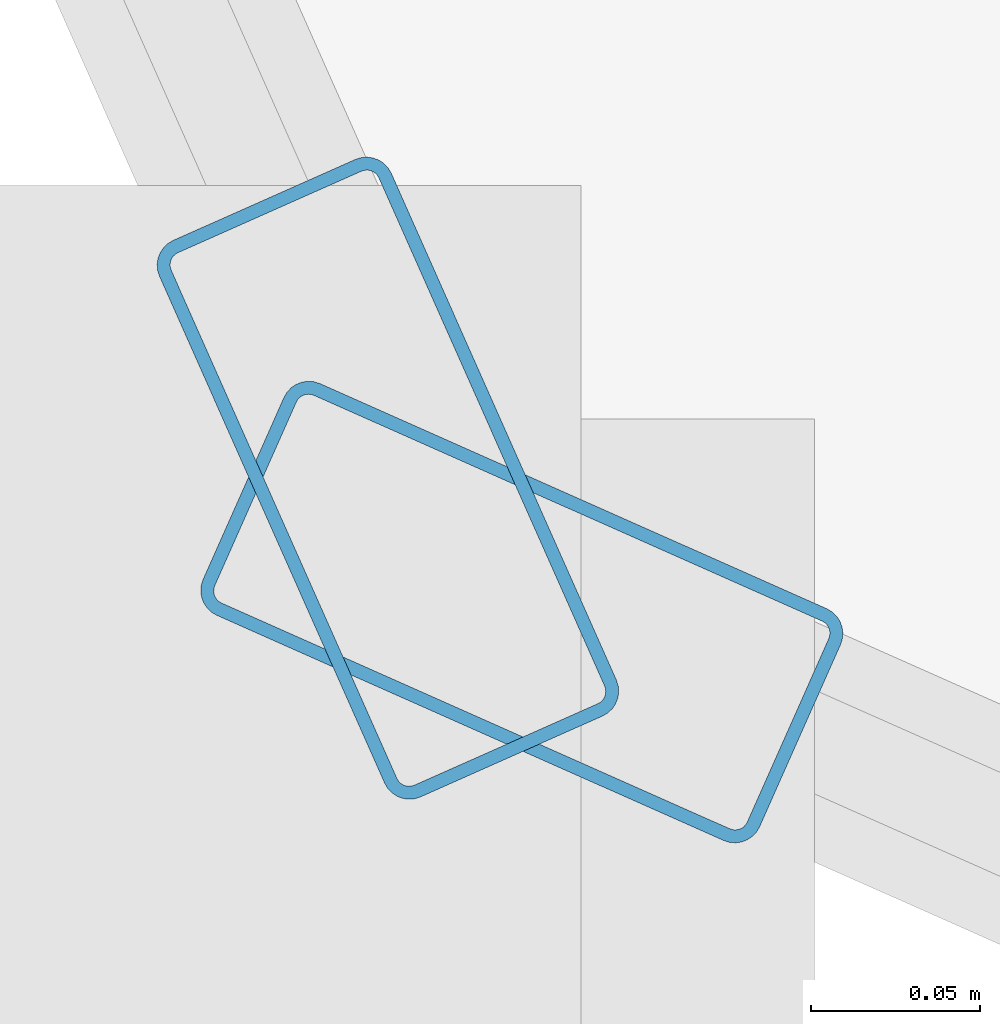
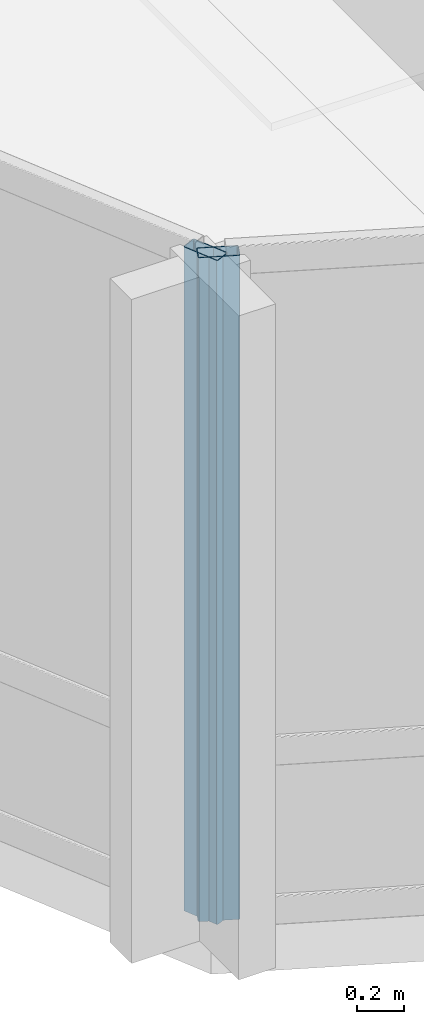
# One storey, part 2 of 28: 2 members, 2 elements without a shape of their own.
"""IFC4 building model written with IfcOpenShell, lengths in metres."""

from ifc_helpers import new_model, si_unit, direction, frame, origin, origin_2d, place, context, subcontext, project, spatial, hollow_rectangle, extrude, material, layer, layer_set, material_profile, profile_set, type_object, element, aggregate, save


model = new_model("IFC4")

# Units and contexts
model_context = context("Model", 3, precision=1e-05, world=origin(), true_north=direction((0.0, 1.0)))
body_context = subcontext(model_context, "Body", "Model", "MODEL_VIEW")
ifc_project = project(units=[si_unit("LENGTHUNIT", "METRE"), si_unit("AREAUNIT", "SQUARE_METRE"), si_unit("VOLUMEUNIT", "CUBIC_METRE"), si_unit("PLANEANGLEUNIT", "RADIAN"), si_unit("MASSUNIT", "GRAM", prefix="KILO")], contexts=[model_context])

# Site, building, storey
site_placement = place(None, origin())
site = spatial("IfcSite", under=ifc_project, at=site_placement, CompositionType="ELEMENT")
building_placement = place(site_placement, origin())
building = spatial("IfcBuilding", under=site, at=building_placement, Name="Solvaryn Broadcast Tower", CompositionType="ELEMENT")
storey_placement = place(building_placement, frame((0.0, 0.0, 158.10009765625)))
storey = spatial("IfcBuildingStorey", under=building, at=storey_placement, Name="L39", CompositionType="ELEMENT", Elevation=158.10009765625)

# Curtain wall, member
ifc_material_1 = material(Name="Aluminium and Terracotta Unitised Curtain Wall", Category="masonry")
ifc_layer = layer(ifc_material_1, 0.199951171875)
ifc_layer_set = layer_set([ifc_layer], Name="CW-SYS2-LOWMID")
curtain_wall_type = type_object("IfcCurtainWallType", Name="CW-SYS2-LOWMID", PredefinedType="NOTDEFINED", material=ifc_layer_set)
curtain_wall_1_placement = place(storey_placement, origin())
curtain_wall_1 = element("IfcCurtainWall", 1, at=curtain_wall_1_placement, inside=storey, type_object=curtain_wall_type, Name="L39 Curtain Wall DR2", PredefinedType="NOTDEFINED")
ifc_material_2 = material(Name="Anodised Aluminium 6063-T6", Category="aluminium")
ifc_material_profile = material_profile(ifc_material_2, hollow_rectangle(XDim=0.074951171875, YDim=0.179931640625, WallThickness=0.00390625, InnerFilletRadius=0.00390625, OuterFilletRadius=0.008056640625, at=origin_2d()))
ifc_profile_set = profile_set([ifc_material_profile], Name="Anodised Aluminium 6063-T6")
member_type = type_object("IfcMemberType", Name="CW-MUL-180", PredefinedType="MULLION", material=ifc_profile_set)
member_1_placement = place(storey_placement, frame((8.895751953125, 8.935302734375, 0.0), z_axis=(0.0, 0.0, 1.0), x_axis=(0.913909311008, 0.405918429309, 0.0)))
member_1 = element("IfcMember", 2, at=member_1_placement, type_object=member_type, Name="CWS2 mullion 2", PredefinedType="MULLION", context=body_context, shape_type="SweptSolid", body=[
    extrude(hollow_rectangle(XDim=0.074951171875, YDim=0.179931640625, WallThickness=0.00390625, InnerFilletRadius=0.00390625, OuterFilletRadius=0.008056640625, at=origin_2d()), origin(), (0.0, 0.0, 1.0), 3.419921875),
])
aggregate(curtain_wall_1, [member_1])

curtain_wall_2_placement = place(storey_placement, origin())
curtain_wall_2 = element("IfcCurtainWall", 3, at=curtain_wall_2_placement, inside=storey, type_object=curtain_wall_type, Name="L39 Curtain Wall DR3", PredefinedType="NOTDEFINED")
member_2_placement = place(storey_placement, frame((8.935302734375, 8.895751953125, 0.0), z_axis=(0.0, 0.0, 1.0), x_axis=(0.405918429309, 0.913909311008, 0.0)))
member_2 = element("IfcMember", 4, at=member_2_placement, type_object=member_type, Name="CWS2 mullion 1", PredefinedType="MULLION", context=body_context, shape_type="SweptSolid", body=[
    extrude(hollow_rectangle(XDim=0.074951171875, YDim=0.179931640625, WallThickness=0.00390625, InnerFilletRadius=0.00390625, OuterFilletRadius=0.008056640625, at=origin_2d()), origin(), (0.0, 0.0, 1.0), 3.419921875),
])
aggregate(curtain_wall_2, [member_2])

save(model, "model.ifc")
